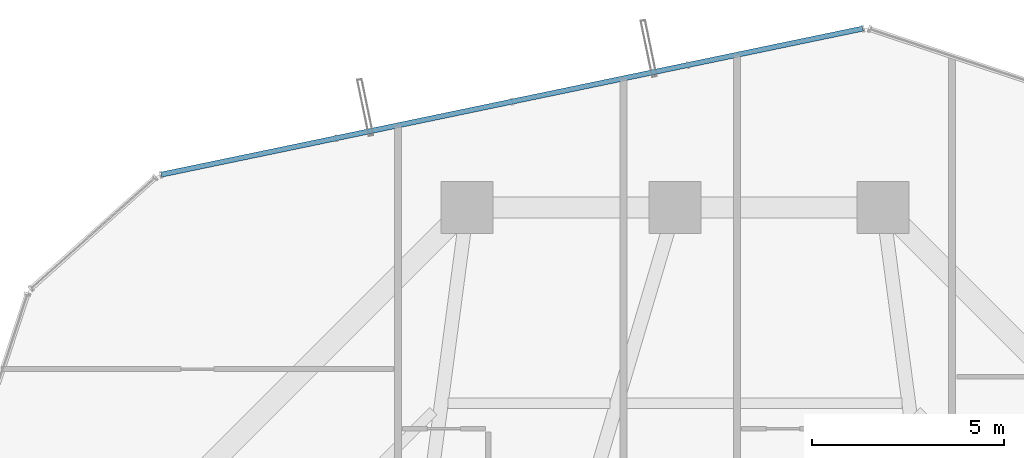
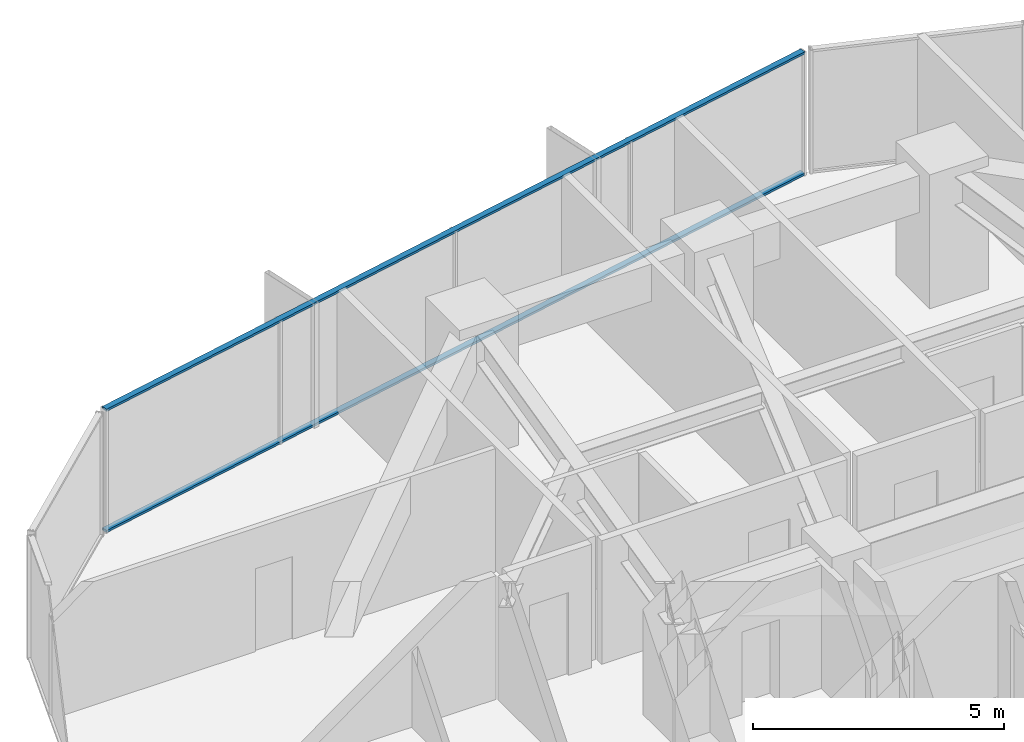
# One storey, part 26 of 38: 2 members, 1 element without a shape of its own.
"""IFC4 building model written with IfcOpenShell, lengths in metres."""

from ifc_helpers import new_model, si_unit, direction, frame, origin, origin_2d, place, context, subcontext, project, spatial, hollow_rectangle, extrude, source, transform, mapped, material, layer, layer_set, material_profile, profile_set, type_object, element, aggregate, save


model = new_model("IFC4")

# Units and contexts
model_context = context("Model", 3, precision=1e-05, world=origin(), true_north=direction((0.0, 1.0)))
body_context = subcontext(model_context, "Body", "Model", "MODEL_VIEW")
ifc_project = project(units=[si_unit("LENGTHUNIT", "METRE"), si_unit("AREAUNIT", "SQUARE_METRE"), si_unit("VOLUMEUNIT", "CUBIC_METRE"), si_unit("PLANEANGLEUNIT", "RADIAN"), si_unit("MASSUNIT", "GRAM", prefix="KILO")], contexts=[model_context])

# Site, building, storey
site_placement = place(None, origin())
site = spatial("IfcSite", under=ifc_project, at=site_placement, CompositionType="ELEMENT")
building_placement = place(site_placement, origin())
building = spatial("IfcBuilding", under=site, at=building_placement, Name="Veraguas Prism Commons", CompositionType="ELEMENT")
storey_placement = place(building_placement, frame((0.0, 0.0, 64.10009765625)))
storey = spatial("IfcBuildingStorey", under=building, at=storey_placement, Name="L17", CompositionType="ELEMENT", Elevation=64.10009765625)

# Curtain wall, members
ifc_material = material(Name="Anodised aluminium EN AW-6063 T6", Category="aluminium")
ifc_layer = layer(ifc_material, 0.169921875, Name="Unitised Flush Curtain Wall Zone 1", Category="aluminium")
ifc_layer_set = layer_set([ifc_layer], Name="Anodised aluminium EN AW-6063 T6")
curtain_wall_type = type_object("IfcCurtainWallType", Name="Unitised Flush Curtain Wall Zone 1", PredefinedType="NOTDEFINED", material=ifc_layer_set)
curtain_wall_placement = place(storey_placement, origin())
curtain_wall = element("IfcCurtainWall", 1, at=curtain_wall_placement, inside=storey, type_object=curtain_wall_type, Name="Tower Facade Curtain Wall L17-F2", PredefinedType="NOTDEFINED")
ifc_material_profile = material_profile(ifc_material, hollow_rectangle(XDim=0.054931640625, YDim=0.135009765625, WallThickness=0.0029296875, at=origin_2d()), Name="AL55X135X3")
ifc_profile_set = profile_set([ifc_material_profile], Name="Anodised aluminium EN AW-6063 T6")
member_type = type_object("IfcMemberType", Name="Curtain Wall Transom Standard AL 55x135x3", PredefinedType="USERDEFINED", material=ifc_profile_set)
shared_shape = source(origin(), body_context, "Body", "SweptSolid", [
    extrude(hollow_rectangle(XDim=0.054931640625, YDim=0.135009765625, WallThickness=0.0029296875, at=origin_2d()), origin(), (0.0, 0.0, 1.0), 18.623779296875),
])
member_1_placement = place(storey_placement, frame((28.88037109375, 46.246337890625, 0.02734375), z_axis=(-0.979008547939, -0.203819192086, 0.0), x_axis=(0.0, 0.0, 1.0)))
member_1 = element("IfcMember", 2, at=member_1_placement, type_object=member_type, Name="CW-Z1 Transom 1", ObjectType="TRANSOM", PredefinedType="USERDEFINED", context=body_context, shape_type="MappedRepresentation", body=[
    mapped(shared_shape, transform((0.0, 0.0, 0.0), scale=1.0)),
])
member_2_placement = place(storey_placement, frame((28.88037109375, 46.246337890625, 2.972412109375), z_axis=(-0.979008547939, -0.203819192086, 0.0), x_axis=(0.0, 0.0, 1.0)))
member_2 = element("IfcMember", 3, at=member_2_placement, type_object=member_type, Name="CW-Z1 Transom 2", ObjectType="TRANSOM", PredefinedType="USERDEFINED", context=body_context, shape_type="MappedRepresentation", body=[
    mapped(shared_shape, transform((0.0, 0.0, 0.0), scale=1.0)),
])
aggregate(curtain_wall, [member_1, member_2])

save(model, "model.ifc")
